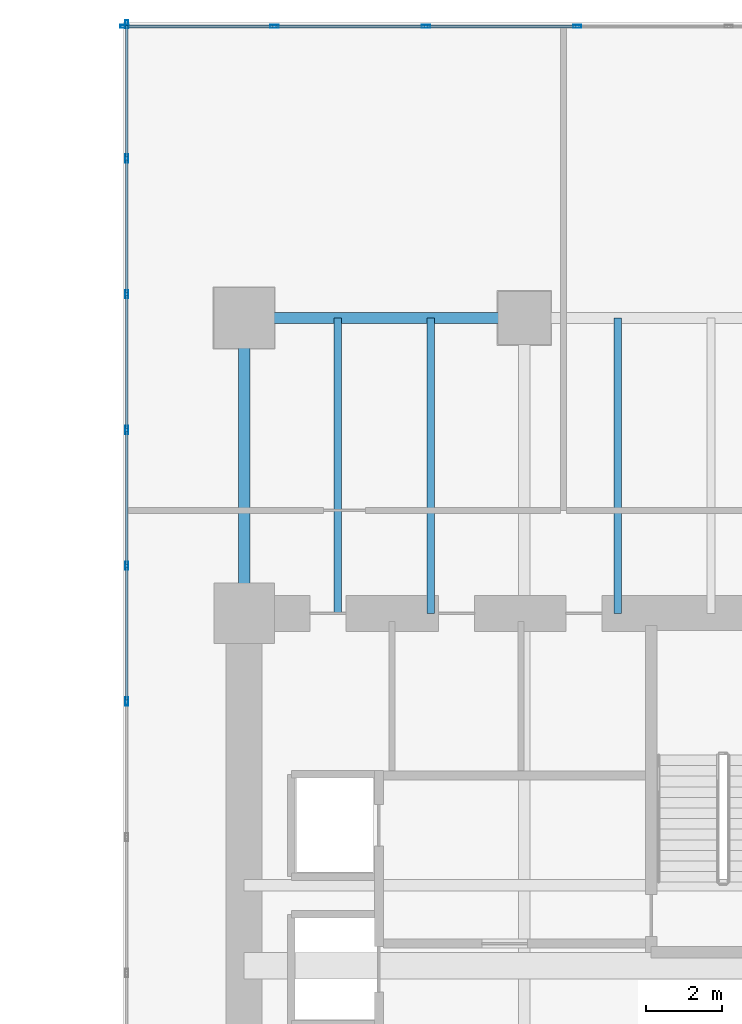
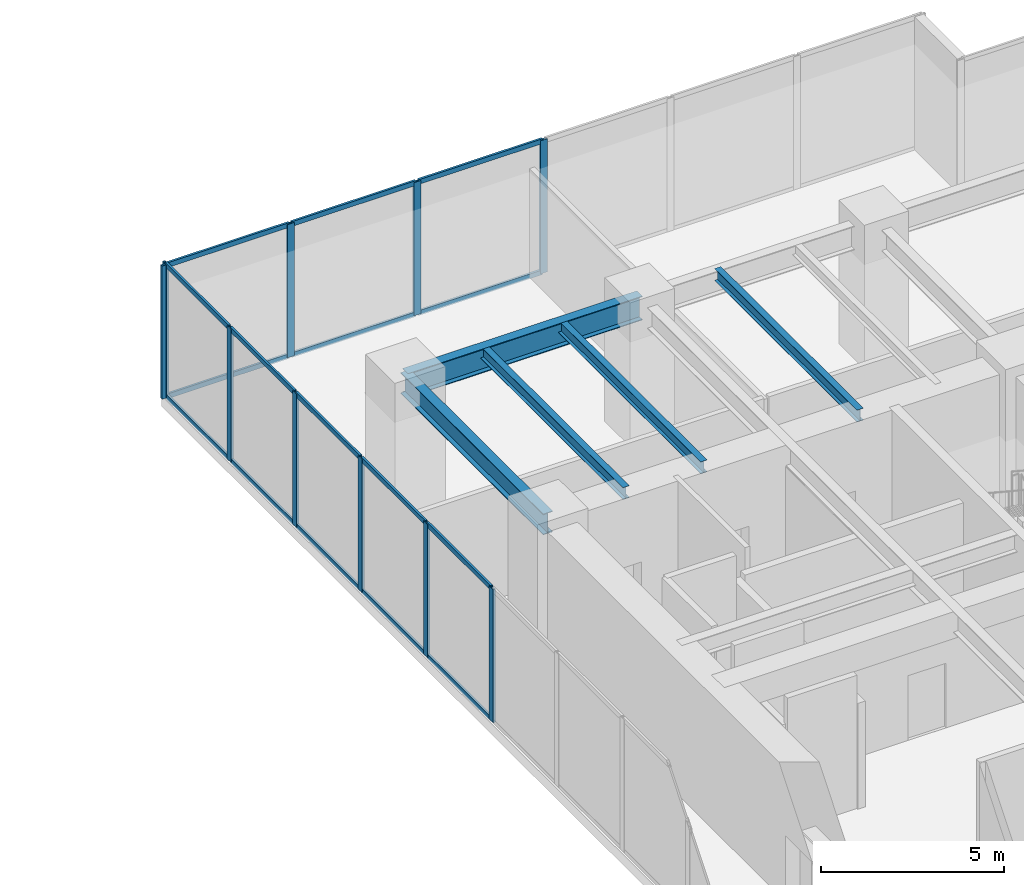
# One storey, part 17 of 33: 26 members, 5 beams, 2 elements without a shape of their own.
"""IFC4 building model written with IfcOpenShell, lengths in metres."""

import ifcopenshell
import ifcopenshell.guid

model = None  # the IFC model being written
_history = None  # IfcOwnerHistory: only IFC2X3 demands one
_inside = {}  # id of a spatial element -> (the spatial element, [elements in it])
_under = {}  # id of a project, library or spatial element -> (it, [spatial elements below it])
_declared = {}  # id of a project -> (the project, [libraries it declares])
_typed = {}  # id of a type object -> (the type object, [elements of that type])
_made_of = {}  # id of a material, layer set ... -> (it, [elements and type objects made of it])


def new_model(schema):
    """Start an empty IFC model of exactly this schema.

    Asked for "IFC4X3", IfcOpenShell would pick the latest addendum, in which some entities
    have other attributes; the version numbers below select the first issue.
    IFC2X3 requires an IfcOwnerHistory on every rooted entity: one is made here for all.
    """
    global model, _history
    if schema == "IFC4X3":
        model = ifcopenshell.file(schema_version=(4, 3, 0, 0))
    else:
        model = ifcopenshell.file(schema=schema)
    _inside.clear()
    _under.clear()
    _declared.clear()
    _typed.clear()
    _made_of.clear()
    _history = None
    if model.schema == "IFC2X3":
        org = make("IfcOrganization", Name="unknown")
        user = make(
            "IfcPersonAndOrganization",
            ThePerson=make("IfcPerson", FamilyName="unknown"),
            TheOrganization=org,
        )
        app = make(
            "IfcApplication",
            ApplicationDeveloper=org,
            Version="unknown",
            ApplicationFullName="unknown",
            ApplicationIdentifier="unknown",
        )
        _history = make(
            "IfcOwnerHistory",
            OwningUser=user,
            OwningApplication=app,
            ChangeAction="ADDED",
            CreationDate=0,
        )
    return model


def make(cls, **values):
    """One entity of the class cls with the attributes given. An attribute that is None is left unset."""
    return model.create_entity(
        cls, **{name: value for name, value in values.items() if value is not None}
    )


def rooted(cls, **values):
    """An entity with a GlobalId (a new one), such as an element, a storey or a relation."""
    return make(cls, GlobalId=ifcopenshell.guid.new(), OwnerHistory=_history, **values)


def si_unit(unit_type, name, prefix=None):
    """IfcSIUnit, for example si_unit("LENGTHUNIT", "METRE", prefix="MILLI")."""
    return make("IfcSIUnit", UnitType=unit_type, Prefix=prefix, Name=name)


def assignment(units):
    """IfcUnitAssignment: the units of a project."""
    return None if units is None else make("IfcUnitAssignment", Units=units)


def point(xyz):
    """IfcCartesianPoint."""
    return None if xyz is None else make("IfcCartesianPoint", Coordinates=xyz)


def direction(xyz):
    """IfcDirection."""
    return None if xyz is None else make("IfcDirection", DirectionRatios=xyz)


def frame(location, z_axis=None, x_axis=None):
    """IfcAxis2Placement3D, a coordinate frame: its origin and axes. An axis left out is left unset."""
    return make(
        "IfcAxis2Placement3D",
        Location=point(location),
        Axis=direction(z_axis),
        RefDirection=direction(x_axis),
    )


def frame_2d(location, x_axis=None):
    """IfcAxis2Placement2D, a coordinate frame in the plane: its origin and x axis."""
    return make(
        "IfcAxis2Placement2D", Location=point(location), RefDirection=direction(x_axis)
    )


def origin():
    """The frame at (0, 0, 0) with its axes left unset."""
    return frame((0.0, 0.0, 0.0))


def origin_2d():
    """The frame at (0, 0) in the plane with its x axis left unset."""
    return frame_2d((0.0, 0.0))


def place(relative_to, where):
    """IfcLocalPlacement: puts the frame where relative to a parent placement (None: the world)."""
    return make(
        "IfcLocalPlacement", PlacementRelTo=relative_to, RelativePlacement=where
    )


def context(
    kind, dimensions, precision=None, world=None, true_north=None, identifier=None
):
    """IfcGeometricRepresentationContext, for example the 3D "Model" context."""
    return make(
        "IfcGeometricRepresentationContext",
        ContextIdentifier=identifier,
        ContextType=kind,
        CoordinateSpaceDimension=dimensions,
        Precision=precision,
        WorldCoordinateSystem=world,
        TrueNorth=true_north,
    )


def subcontext(parent, identifier, kind, view, scale=None):
    """IfcGeometricRepresentationSubContext, for example "Body" below "Model"."""
    return make(
        "IfcGeometricRepresentationSubContext",
        ContextIdentifier=identifier,
        ContextType=kind,
        ParentContext=parent,
        TargetScale=scale,
        TargetView=view,
    )


def project(units=None, contexts=None):
    """IfcProject with its units and contexts."""
    return rooted(
        "IfcProject",
        Name="project",
        RepresentationContexts=contexts,
        UnitsInContext=assignment(units),
    )


def spatial(cls, under=None, at=None, **own):
    """A site, building, storey or space (cls), placed at a placement, below another one or the project."""
    s = rooted(cls, ObjectPlacement=at, **own)
    if under is not None:
        _under.setdefault(under.id(), (under, []))[1].append(s)
    return s


def profile(cls, at=None, kind="AREA", **sizes):
    """A parametric profile (cls). Its sizes go by their IFC names, for example OverallWidth=200.0."""
    return make(cls, ProfileType=kind, Position=at, **sizes)


def hollow_rectangle(**sizes):
    """IfcRectangleHollowProfileDef."""
    return profile("IfcRectangleHollowProfileDef", **sizes)


def i_section(**sizes):
    """IfcIShapeProfileDef."""
    return profile("IfcIShapeProfileDef", **sizes)


def extrude(swept, where, along, depth):
    """IfcExtrudedAreaSolid: the profile swept, set in the frame where, extruded along a direction by depth."""
    return make(
        "IfcExtrudedAreaSolid",
        SweptArea=swept,
        Position=where,
        ExtrudedDirection=direction(along),
        Depth=depth,
    )


def shape(context_of_items, identifier, shape_type, items):
    """IfcShapeRepresentation: the items that make up one representation, for example the "Body"."""
    return make(
        "IfcShapeRepresentation",
        ContextOfItems=context_of_items,
        RepresentationIdentifier=identifier,
        RepresentationType=shape_type,
        Items=items,
    )


def source(mapping_origin, context_of_items, identifier, shape_type, items):
    """IfcRepresentationMap: a shape defined once, which mapped items show again and again."""
    return make(
        "IfcRepresentationMap",
        MappingOrigin=mapping_origin,
        MappedRepresentation=shape(context_of_items, identifier, shape_type, items),
    )


def transform(
    local_origin,
    x_axis=None,
    y_axis=None,
    z_axis=None,
    scale=None,
    scale2=None,
    scale3=None,
    uniform=True,
):
    """IfcCartesianTransformationOperator3D, or its non-uniform kind. x_axis, y_axis, z_axis: its Axis1, 2, 3."""
    if uniform:
        return make(
            "IfcCartesianTransformationOperator3D",
            Axis1=direction(x_axis),
            Axis2=direction(y_axis),
            LocalOrigin=point(local_origin),
            Scale=scale,
            Axis3=direction(z_axis),
        )
    return make(
        "IfcCartesianTransformationOperator3DnonUniform",
        Axis1=direction(x_axis),
        Axis2=direction(y_axis),
        LocalOrigin=point(local_origin),
        Scale=scale,
        Axis3=direction(z_axis),
        Scale2=scale2,
        Scale3=scale3,
    )


def mapped(mapping_source, mapping_target):
    """IfcMappedItem: shows the shape of a source again, moved by a transform."""
    return make(
        "IfcMappedItem", MappingSource=mapping_source, MappingTarget=mapping_target
    )


def material(Name=None, Category=None):
    """IfcMaterial."""
    return make("IfcMaterial", Name=Name, Category=Category)


def layer(
    of_material, thickness, ventilated=None, Name=None, Category=None, Priority=None
):
    """IfcMaterialLayer: one layer of a wall or slab, of a material (None: an air gap)."""
    return make(
        "IfcMaterialLayer",
        Material=of_material,
        LayerThickness=thickness,
        IsVentilated=ventilated,
        Name=Name,
        Category=Category,
        Priority=Priority,
    )


def layer_set(layers, Name=None):
    """IfcMaterialLayerSet."""
    return make("IfcMaterialLayerSet", MaterialLayers=layers, LayerSetName=Name)


def material_profile(
    of_material, cross_section, Name=None, Category=None, Priority=None
):
    """IfcMaterialProfile: a cross section and its material."""
    return make(
        "IfcMaterialProfile",
        Name=Name,
        Material=of_material,
        Profile=cross_section,
        Priority=Priority,
        Category=Category,
    )


def profile_set(profiles, Name=None, composite=None):
    """IfcMaterialProfileSet."""
    return make(
        "IfcMaterialProfileSet",
        Name=Name,
        MaterialProfiles=profiles,
        CompositeProfile=composite,
    )


def made_of(thing, what):
    """Note that an element or type object is made of a material, layer set ...; save() writes the relation."""
    if what is not None:
        _made_of.setdefault(what.id(), (what, []))[1].append(thing)
    return thing


def type_object(cls, material=None, **own):
    """A type object (cls), such as IfcWallType, which elements share."""
    return made_of(rooted(cls, **own), material)


def type_shapes(of_type, sources):
    """Give a type object the sources (RepresentationMaps) that its elements show as mapped items."""
    of_type.RepresentationMaps = sources


def element(
    cls,
    number,
    at=None,
    inside=None,
    cuts=None,
    type_object=None,
    material=None,
    context=None,
    identifier="Body",
    shape_type=None,
    held_by="IfcProductDefinitionShape",
    body=None,
    shapes=None,
    **own,
):
    """One element of the class cls, such as IfcWall. Its Tag is "e" and its number.

    at: its placement. inside: the storey or other place that contains it. cuts: it is an
    opening in that element (IfcRelVoidsElement). A single representation is given by context,
    identifier, shape_type and body (its items); several are given by shapes. held_by: the class
    of the entity that holds the representations. save() writes the other relations.
    """
    e = rooted(cls, Tag="e%d" % number, ObjectPlacement=at, **own)
    if body is not None:
        shapes = [shape(context, identifier, shape_type, body)]
    if shapes is not None:
        e.Representation = make(held_by, Representations=shapes)
    if inside is not None:
        _inside.setdefault(inside.id(), (inside, []))[1].append(e)
    if cuts is not None:
        rooted(
            "IfcRelVoidsElement", RelatingBuildingElement=cuts, RelatedOpeningElement=e
        )
    if type_object is not None:
        _typed.setdefault(type_object.id(), (type_object, []))[1].append(e)
    return made_of(e, material)


def aggregate(whole, parts):
    """IfcRelAggregates: a whole, such as a stair, and the parts it consists of."""
    return rooted("IfcRelAggregates", RelatingObject=whole, RelatedObjects=parts)


def save(model, path):
    """Write the relations noted so far, then the file.

    IfcRelAggregates (storeys below a building ...), IfcRelContainedInSpatialStructure (elements
    in a storey), IfcRelDefinesByType, IfcRelAssociatesMaterial and IfcRelDeclares: one each for
    every whole, place, type object, material and project.
    """
    for whole, parts in _under.values():
        aggregate(whole, parts)
    for where, things in _inside.values():
        rooted(
            "IfcRelContainedInSpatialStructure",
            RelatedElements=things,
            RelatingStructure=where,
        )
    for kind, things in _typed.values():
        rooted("IfcRelDefinesByType", RelatedObjects=things, RelatingType=kind)
    for what, things in _made_of.values():
        rooted("IfcRelAssociatesMaterial", RelatedObjects=things, RelatingMaterial=what)
    for by, libraries in _declared.values():
        rooted("IfcRelDeclares", RelatingContext=by, RelatedDefinitions=libraries)
    model.write(path)


model = new_model("IFC4")

# Units and contexts
model_context = context("Model", 3, precision=1e-05, world=origin(), true_north=direction((0.0, 1.0)))
body_context = subcontext(model_context, "Body", "Model", "MODEL_VIEW")
ifc_project = project(units=[si_unit("LENGTHUNIT", "METRE"), si_unit("AREAUNIT", "SQUARE_METRE"), si_unit("VOLUMEUNIT", "CUBIC_METRE"), si_unit("PLANEANGLEUNIT", "RADIAN"), si_unit("MASSUNIT", "GRAM", prefix="KILO")], contexts=[model_context])

# Site, building, storey
site_placement = place(None, origin())
site = spatial("IfcSite", under=ifc_project, at=site_placement, CompositionType="ELEMENT")
building_placement = place(site_placement, origin())
building = spatial("IfcBuilding", under=site, at=building_placement, Name="Haelvirn Gate Laboratories", CompositionType="ELEMENT")
storey_placement = place(building_placement, frame((0.0, 0.0, 10.199951171875)))
storey = spatial("IfcBuildingStorey", under=building, at=storey_placement, Name="L03", CompositionType="ELEMENT", Elevation=10.199951171875)

# Beams
ifc_material_1 = material(Name="Steel SM420", Category="steel")
ifc_material_profile_1 = material_profile(ifc_material_1, i_section(OverallWidth=0.300048828125, OverallDepth=0.800048828125, WebThickness=0.013916015625, FlangeThickness=0.02587890625, at=origin_2d()), Name="H-800x300x14x26")
ifc_profile_set_1 = profile_set([ifc_material_profile_1], Name="Steel SM420")
beam_type_1 = type_object("IfcBeamType", Name="BM-G-800", PredefinedType="BEAM", material=ifc_profile_set_1)
shared_shape_1 = source(origin(), body_context, "Body", "SweptSolid", [
    extrude(i_section(OverallWidth=0.300048828125, OverallDepth=0.800048828125, WebThickness=0.013916015625, FlangeThickness=0.02587890625, at=origin_2d()), origin(), (0.0, 0.0, 1.0), 7.39990234375),
])
type_shapes(beam_type_1, [shared_shape_1])
beam_1_placement = place(storey_placement, frame((52.60009765625, 41.60009765625, 4.050048828125), z_axis=(1.0, 0.0, 0.0), x_axis=(0.0, 1.0, 0.0)))
element("IfcBeam", 1, at=beam_1_placement, inside=storey, type_object=beam_type_1, Name="L03 Primary Girder Y41.6 (52.6-60.0)", PredefinedType="BEAM", context=body_context, shape_type="MappedRepresentation", body=[
    mapped(shared_shape_1, transform((0.0, 0.0, 0.0), scale=1.0)),
])
ifc_material_2 = material(Name="Steel SM355", Category="steel")
ifc_material_profile_2 = material_profile(ifc_material_2, i_section(OverallWidth=0.199951171875, OverallDepth=0.39990234375, WebThickness=0.008056640625, FlangeThickness=0.012939453125, at=origin_2d()), Name="H-400x200x8x13")
ifc_profile_set_2 = profile_set([ifc_material_profile_2], Name="Steel SM355")
beam_type_2 = type_object("IfcBeamType", Name="BM-J-400", PredefinedType="JOIST", material=ifc_profile_set_2)
shared_shape_2 = source(origin(), body_context, "Body", "SweptSolid", [
    extrude(i_section(OverallWidth=0.199951171875, OverallDepth=0.39990234375, WebThickness=0.008056640625, FlangeThickness=0.012939453125, at=origin_2d()), origin(), (0.0, 0.0, 1.0), 7.800048828125),
])
type_shapes(beam_type_2, [shared_shape_2])
for number, where, z_axis, x_axis, name in (
    (2, (55.070068359375, 33.800048828125, 4.25), (0.0, 1.0, 0.0), (-1.0, 0.0, 0.0), "L03 Composite Lab Joist North X55.07"),
    (3, (57.530029296875, 33.800048828125, 4.25), (0.0, 1.0, 0.0), (-1.0, 0.0, 0.0), "L03 Composite Lab Joist North X57.53"),
    (4, (62.469970703125, 33.800048828125, 4.25), (0.0, 1.0, 0.0), (-1.0, 0.0, 0.0), "L03 Composite Lab Joist North X62.47"),
):
    element("IfcBeam", number, at=place(storey_placement, frame(where, z_axis=z_axis, x_axis=x_axis)), inside=storey, type_object=beam_type_2, Name=name, PredefinedType="JOIST", context=body_context, shape_type="MappedRepresentation", body=[
        mapped(shared_shape_2, transform((0.0, 0.0, 0.0), scale=1.0)),
    ])
ifc_material_profile_3 = material_profile(ifc_material_2, i_section(OverallWidth=0.300048828125, OverallDepth=0.699951171875, WebThickness=0.012939453125, FlangeThickness=0.02392578125, at=origin_2d()), Name="H-700x300x13x24")
ifc_profile_set_3 = profile_set([ifc_material_profile_3], Name="Steel SM355")
beam_type_3 = type_object("IfcBeamType", Name="BM-G-700", PredefinedType="BEAM", material=ifc_profile_set_3)
shared_shape_3 = source(origin(), body_context, "Body", "SweptSolid", [
    extrude(i_section(OverallWidth=0.300048828125, OverallDepth=0.699951171875, WebThickness=0.012939453125, FlangeThickness=0.02392578125, at=origin_2d()), origin(), (0.0, 0.0, 1.0), 7.800048828125),
])
type_shapes(beam_type_3, [shared_shape_3])
beam_2_placement = place(storey_placement, frame((52.60009765625, 33.800048828125, 4.10009765625), z_axis=(0.0, 1.0, 0.0), x_axis=(-1.0, 0.0, 0.0)))
element("IfcBeam", 5, at=beam_2_placement, inside=storey, type_object=beam_type_3, Name="L03 Frame Girder X52.6 (33.8-41.6)", PredefinedType="BEAM", context=body_context, shape_type="MappedRepresentation", body=[
    mapped(shared_shape_3, transform((0.0, 0.0, 0.0), scale=1.0)),
])

# Curtain wall, members
ifc_material_3 = material(Name="Anodised bronze unitised aluminium & triple low-E glass", Category="aluminium")
ifc_layer = layer(ifc_material_3, 0.18798828125, Name="CW-SYS-1")
ifc_layer_set = layer_set([ifc_layer], Name="Anodised bronze unitised aluminium & triple low-E glass")
curtain_wall_type = type_object("IfcCurtainWallType", Name="CW-SYS-1", PredefinedType="NOTDEFINED", material=ifc_layer_set)
curtain_wall_1_placement = place(storey_placement, origin())
curtain_wall_1 = element("IfcCurtainWall", 6, at=curtain_wall_1_placement, inside=storey, type_object=curtain_wall_type, Name="L03 Unitised Curtain Wall CW-L03-P1-E07", PredefinedType="NOTDEFINED")
ifc_material_4 = material(Name="Extruded aluminium 6063-T6 (anodised bronze)", Category="aluminium")
ifc_material_profile_4 = material_profile(ifc_material_4, hollow_rectangle(XDim=0.070068359375, YDim=0.159912109375, WallThickness=0.0048828125, at=origin_2d()), Name="CWT-160x70x5")
ifc_profile_set_4 = profile_set([ifc_material_profile_4], Name="Extruded aluminium 6063-T6 (anodised bronze)")
member_type_1 = type_object("IfcMemberType", Name="CWT-T160", PredefinedType="USERDEFINED", material=ifc_profile_set_4)
shared_shape_4 = source(origin(), body_context, "Body", "SweptSolid", [
    extrude(hollow_rectangle(XDim=0.070068359375, YDim=0.159912109375, WallThickness=0.0048828125, at=origin_2d()), origin(), (0.0, 0.0, 1.0), 3.505615234375),
])
member_1_placement = place(storey_placement, frame((49.5, 45.774169921875, 0.03515625), z_axis=(0.0, -1.0, 0.0), x_axis=(1.0, 0.0, 0.0)))
member_1 = element("IfcMember", 7, at=member_1_placement, type_object=member_type_1, Name="CW1 transom 2.1", ObjectType="TRANSOM", PredefinedType="USERDEFINED", context=body_context, shape_type="MappedRepresentation", body=[
    mapped(shared_shape_4, transform((0.0, 0.0, 0.0), scale=1.0)),
])
member_2_placement = place(storey_placement, frame((49.5, 45.774169921875, 4.4150390625), z_axis=(0.0, -1.0, 0.0), x_axis=(1.0, 0.0, 0.0)))
member_2 = element("IfcMember", 8, at=member_2_placement, type_object=member_type_1, Name="CW1 transom 2.2", ObjectType="TRANSOM", PredefinedType="USERDEFINED", context=body_context, shape_type="MappedRepresentation", body=[
    mapped(shared_shape_4, transform((0.0, 0.0, 0.0), scale=1.0)),
])
member_3_placement = place(storey_placement, frame((49.5, 42.1884765625, 0.03515625), z_axis=(0.0, -1.0, 0.0), x_axis=(1.0, 0.0, 0.0)))
member_3 = element("IfcMember", 9, at=member_3_placement, type_object=member_type_1, Name="CW1 transom 3.1", ObjectType="TRANSOM", PredefinedType="USERDEFINED", context=body_context, shape_type="MappedRepresentation", body=[
    mapped(shared_shape_4, transform((0.0, 0.0, 0.0), scale=1.0)),
])
member_4_placement = place(storey_placement, frame((49.5, 42.1884765625, 4.4150390625), z_axis=(0.0, -1.0, 0.0), x_axis=(1.0, 0.0, 0.0)))
member_4 = element("IfcMember", 10, at=member_4_placement, type_object=member_type_1, Name="CW1 transom 3.2", ObjectType="TRANSOM", PredefinedType="USERDEFINED", context=body_context, shape_type="MappedRepresentation", body=[
    mapped(shared_shape_4, transform((0.0, 0.0, 0.0), scale=1.0)),
])
member_5_placement = place(storey_placement, frame((49.5, 38.602783203125, 0.03515625), z_axis=(0.0, -1.0, 0.0), x_axis=(1.0, 0.0, 0.0)))
member_5 = element("IfcMember", 11, at=member_5_placement, type_object=member_type_1, Name="CW1 transom 4.1", ObjectType="TRANSOM", PredefinedType="USERDEFINED", context=body_context, shape_type="MappedRepresentation", body=[
    mapped(shared_shape_4, transform((0.0, 0.0, 0.0), scale=1.0)),
])
member_6_placement = place(storey_placement, frame((49.5, 38.602783203125, 4.4150390625), z_axis=(0.0, -1.0, 0.0), x_axis=(1.0, 0.0, 0.0)))
member_6 = element("IfcMember", 12, at=member_6_placement, type_object=member_type_1, Name="CW1 transom 4.2", ObjectType="TRANSOM", PredefinedType="USERDEFINED", context=body_context, shape_type="MappedRepresentation", body=[
    mapped(shared_shape_4, transform((0.0, 0.0, 0.0), scale=1.0)),
])
member_7_placement = place(storey_placement, frame((49.5, 35.01708984375, 0.03515625), z_axis=(0.0, -1.0, 0.0), x_axis=(1.0, 0.0, 0.0)))
member_7 = element("IfcMember", 13, at=member_7_placement, type_object=member_type_1, Name="CW1 transom 5.1", ObjectType="TRANSOM", PredefinedType="USERDEFINED", context=body_context, shape_type="MappedRepresentation", body=[
    mapped(shared_shape_4, transform((0.0, 0.0, 0.0), scale=1.0)),
])
member_8_placement = place(storey_placement, frame((49.5, 35.01708984375, 4.4150390625), z_axis=(0.0, -1.0, 0.0), x_axis=(1.0, 0.0, 0.0)))
member_8 = element("IfcMember", 14, at=member_8_placement, type_object=member_type_1, Name="CW1 transom 5.2", ObjectType="TRANSOM", PredefinedType="USERDEFINED", context=body_context, shape_type="MappedRepresentation", body=[
    mapped(shared_shape_4, transform((0.0, 0.0, 0.0), scale=1.0)),
])
shared_shape_5 = source(origin(), body_context, "Body", "SweptSolid", [
    extrude(hollow_rectangle(XDim=0.070068359375, YDim=0.159912109375, WallThickness=0.0048828125, at=origin_2d()), origin(), (0.0, 0.0, 1.0), 3.4658203125),
])
member_9_placement = place(storey_placement, frame((49.5, 49.320068359375, 0.03515625), z_axis=(0.0, -1.0, 0.0), x_axis=(1.0, 0.0, 0.0)))
member_9 = element("IfcMember", 15, at=member_9_placement, type_object=member_type_1, Name="CW1 transom 1.1", ObjectType="TRANSOM", PredefinedType="USERDEFINED", context=body_context, shape_type="MappedRepresentation", body=[
    mapped(shared_shape_5, transform((0.0, 0.0, 0.0), scale=1.0)),
])
member_10_placement = place(storey_placement, frame((49.5, 49.320068359375, 4.4150390625), z_axis=(0.0, -1.0, 0.0), x_axis=(1.0, 0.0, 0.0)))
member_10 = element("IfcMember", 16, at=member_10_placement, type_object=member_type_1, Name="CW1 transom 1.2", ObjectType="TRANSOM", PredefinedType="USERDEFINED", context=body_context, shape_type="MappedRepresentation", body=[
    mapped(shared_shape_5, transform((0.0, 0.0, 0.0), scale=1.0)),
])

curtain_wall_2_placement = place(storey_placement, origin())
curtain_wall_2 = element("IfcCurtainWall", 17, at=curtain_wall_2_placement, inside=storey, type_object=curtain_wall_type, Name="L03 Unitised Curtain Wall CW-L03-P1-E06-1", PredefinedType="NOTDEFINED")
shared_shape_6 = source(origin(), body_context, "Body", "SweptSolid", [
    extrude(hollow_rectangle(XDim=0.070068359375, YDim=0.159912109375, WallThickness=0.0048828125, at=origin_2d()), origin(), (0.0, 0.0, 1.0), 3.880126953125),
])
member_11_placement = place(storey_placement, frame((49.47998046875, 49.300048828125, 0.03515625), z_axis=(1.0, 0.0, 0.0), x_axis=(0.0, 1.0, 0.0)))
member_11 = element("IfcMember", 18, at=member_11_placement, type_object=member_type_1, Name="CW1 transom 1.1", ObjectType="TRANSOM", PredefinedType="USERDEFINED", context=body_context, shape_type="MappedRepresentation", body=[
    mapped(shared_shape_6, transform((0.0, 0.0, 0.0), scale=1.0)),
])
member_12_placement = place(storey_placement, frame((49.47998046875, 49.300048828125, 4.4150390625), z_axis=(1.0, 0.0, 0.0), x_axis=(0.0, 1.0, 0.0)))
member_12 = element("IfcMember", 19, at=member_12_placement, type_object=member_type_1, Name="CW1 transom 1.2", ObjectType="TRANSOM", PredefinedType="USERDEFINED", context=body_context, shape_type="MappedRepresentation", body=[
    mapped(shared_shape_6, transform((0.0, 0.0, 0.0), scale=1.0)),
])
shared_shape_7 = source(origin(), body_context, "Body", "SweptSolid", [
    extrude(hollow_rectangle(XDim=0.070068359375, YDim=0.159912109375, WallThickness=0.0048828125, at=origin_2d()), origin(), (0.0, 0.0, 1.0), 3.920166015625),
])
type_shapes(member_type_1, [shared_shape_4, shared_shape_5, shared_shape_6, shared_shape_7])
member_13_placement = place(storey_placement, frame((53.43994140625, 49.300048828125, 0.03515625), z_axis=(1.0, 0.0, 0.0), x_axis=(0.0, 1.0, 0.0)))
member_13 = element("IfcMember", 20, at=member_13_placement, type_object=member_type_1, Name="CW1 transom 2.1", ObjectType="TRANSOM", PredefinedType="USERDEFINED", context=body_context, shape_type="MappedRepresentation", body=[
    mapped(shared_shape_7, transform((0.0, 0.0, 0.0), scale=1.0)),
])
member_14_placement = place(storey_placement, frame((53.43994140625, 49.300048828125, 4.4150390625), z_axis=(1.0, 0.0, 0.0), x_axis=(0.0, 1.0, 0.0)))
member_14 = element("IfcMember", 21, at=member_14_placement, type_object=member_type_1, Name="CW1 transom 2.2", ObjectType="TRANSOM", PredefinedType="USERDEFINED", context=body_context, shape_type="MappedRepresentation", body=[
    mapped(shared_shape_7, transform((0.0, 0.0, 0.0), scale=1.0)),
])
member_15_placement = place(storey_placement, frame((57.43994140625, 49.300048828125, 0.03515625), z_axis=(1.0, 0.0, 0.0), x_axis=(0.0, 1.0, 0.0)))
member_15 = element("IfcMember", 22, at=member_15_placement, type_object=member_type_1, Name="CW1 transom 3.1", ObjectType="TRANSOM", PredefinedType="USERDEFINED", context=body_context, shape_type="MappedRepresentation", body=[
    mapped(shared_shape_7, transform((0.0, 0.0, 0.0), scale=1.0)),
])
member_16_placement = place(storey_placement, frame((57.43994140625, 49.300048828125, 4.4150390625), z_axis=(1.0, 0.0, 0.0), x_axis=(0.0, 1.0, 0.0)))
member_16 = element("IfcMember", 23, at=member_16_placement, type_object=member_type_1, Name="CW1 transom 3.2", ObjectType="TRANSOM", PredefinedType="USERDEFINED", context=body_context, shape_type="MappedRepresentation", body=[
    mapped(shared_shape_7, transform((0.0, 0.0, 0.0), scale=1.0)),
])
ifc_material_profile_5 = material_profile(ifc_material_4, hollow_rectangle(XDim=0.080078125, YDim=0.219970703125, WallThickness=0.006103515625, at=origin_2d()), Name="CWM-220x80x6")
ifc_profile_set_5 = profile_set([ifc_material_profile_5], Name="Extruded aluminium 6063-T6 (anodised bronze)")
member_type_2 = type_object("IfcMemberType", Name="CWM-T220", PredefinedType="MULLION", material=ifc_profile_set_5)
shared_shape_8 = source(origin(), body_context, "Body", "SweptSolid", [
    extrude(hollow_rectangle(XDim=0.080078125, YDim=0.219970703125, WallThickness=0.006103515625, at=origin_2d()), origin(), (0.0, 0.0, 1.0), 4.449951171875),
])
type_shapes(member_type_2, [shared_shape_8])
member_17_placement = place(storey_placement, frame((49.43994140625, 49.300048828125, 0.0), z_axis=(0.0, 0.0, 1.0), x_axis=(0.0, 1.0, 0.0)))
member_17 = element("IfcMember", 24, at=member_17_placement, type_object=member_type_2, Name="CW1 mullion 1", PredefinedType="MULLION", context=body_context, shape_type="MappedRepresentation", body=[
    mapped(shared_shape_8, transform((0.0, 0.0, 0.0), scale=1.0)),
])
member_18_placement = place(storey_placement, frame((53.39990234375, 49.300048828125, 0.0), z_axis=(0.0, 0.0, 1.0), x_axis=(0.0, 1.0, 0.0)))
member_18 = element("IfcMember", 25, at=member_18_placement, type_object=member_type_2, Name="CW1 mullion 2", PredefinedType="MULLION", context=body_context, shape_type="MappedRepresentation", body=[
    mapped(shared_shape_8, transform((0.0, 0.0, 0.0), scale=1.0)),
])
member_19_placement = place(storey_placement, frame((57.39990234375, 49.300048828125, 0.0), z_axis=(0.0, 0.0, 1.0), x_axis=(0.0, 1.0, 0.0)))
member_19 = element("IfcMember", 26, at=member_19_placement, type_object=member_type_2, Name="CW1 mullion 3", PredefinedType="MULLION", context=body_context, shape_type="MappedRepresentation", body=[
    mapped(shared_shape_8, transform((0.0, 0.0, 0.0), scale=1.0)),
])
member_20_placement = place(storey_placement, frame((61.39990234375, 49.300048828125, 0.0), z_axis=(0.0, 0.0, 1.0), x_axis=(0.0, 1.0, 0.0)))
member_20 = element("IfcMember", 27, at=member_20_placement, type_object=member_type_2, Name="CW1 mullion 4", PredefinedType="MULLION", context=body_context, shape_type="MappedRepresentation", body=[
    mapped(shared_shape_8, transform((0.0, 0.0, 0.0), scale=1.0)),
])
aggregate(curtain_wall_2, [member_17, member_18, member_19, member_20, member_11, member_12, member_13, member_14, member_15, member_16])

# Member
member_21_placement = place(storey_placement, frame((49.5, 49.360107421875, 0.0), z_axis=(0.0, 0.0, 1.0), x_axis=(1.0, 0.0, 0.0)))
member_21 = element("IfcMember", 28, at=member_21_placement, type_object=member_type_2, Name="CW1 mullion 1", PredefinedType="MULLION", context=body_context, shape_type="MappedRepresentation", body=[
    mapped(shared_shape_8, transform((0.0, 0.0, 0.0), scale=1.0)),
])

member_22_placement = place(storey_placement, frame((49.5, 45.814208984375, 0.0), z_axis=(0.0, 0.0, 1.0), x_axis=(1.0, 0.0, 0.0)))
member_22 = element("IfcMember", 29, at=member_22_placement, type_object=member_type_2, Name="CW1 mullion 2", PredefinedType="MULLION", context=body_context, shape_type="MappedRepresentation", body=[
    mapped(shared_shape_8, transform((0.0, 0.0, 0.0), scale=1.0)),
])

member_23_placement = place(storey_placement, frame((49.5, 42.228515625, 0.0), z_axis=(0.0, 0.0, 1.0), x_axis=(1.0, 0.0, 0.0)))
member_23 = element("IfcMember", 30, at=member_23_placement, type_object=member_type_2, Name="CW1 mullion 3", PredefinedType="MULLION", context=body_context, shape_type="MappedRepresentation", body=[
    mapped(shared_shape_8, transform((0.0, 0.0, 0.0), scale=1.0)),
])

member_24_placement = place(storey_placement, frame((49.5, 38.642822265625, 0.0), z_axis=(0.0, 0.0, 1.0), x_axis=(1.0, 0.0, 0.0)))
member_24 = element("IfcMember", 31, at=member_24_placement, type_object=member_type_2, Name="CW1 mullion 4", PredefinedType="MULLION", context=body_context, shape_type="MappedRepresentation", body=[
    mapped(shared_shape_8, transform((0.0, 0.0, 0.0), scale=1.0)),
])

member_25_placement = place(storey_placement, frame((49.5, 35.05712890625, 0.0), z_axis=(0.0, 0.0, 1.0), x_axis=(1.0, 0.0, 0.0)))
member_25 = element("IfcMember", 32, at=member_25_placement, type_object=member_type_2, Name="CW1 mullion 5", PredefinedType="MULLION", context=body_context, shape_type="MappedRepresentation", body=[
    mapped(shared_shape_8, transform((0.0, 0.0, 0.0), scale=1.0)),
])

member_26_placement = place(storey_placement, frame((49.5, 31.471435546875, 0.0), z_axis=(0.0, 0.0, 1.0), x_axis=(1.0, 0.0, 0.0)))
member_26 = element("IfcMember", 33, at=member_26_placement, type_object=member_type_2, Name="CW1 mullion 6", PredefinedType="MULLION", context=body_context, shape_type="MappedRepresentation", body=[
    mapped(shared_shape_8, transform((0.0, 0.0, 0.0), scale=1.0)),
])

aggregate(curtain_wall_1, [member_21, member_22, member_23, member_24, member_25, member_26, member_9, member_10, member_1, member_2, member_3, member_4, member_5, member_6, member_7, member_8])

save(model, "model.ifc")
